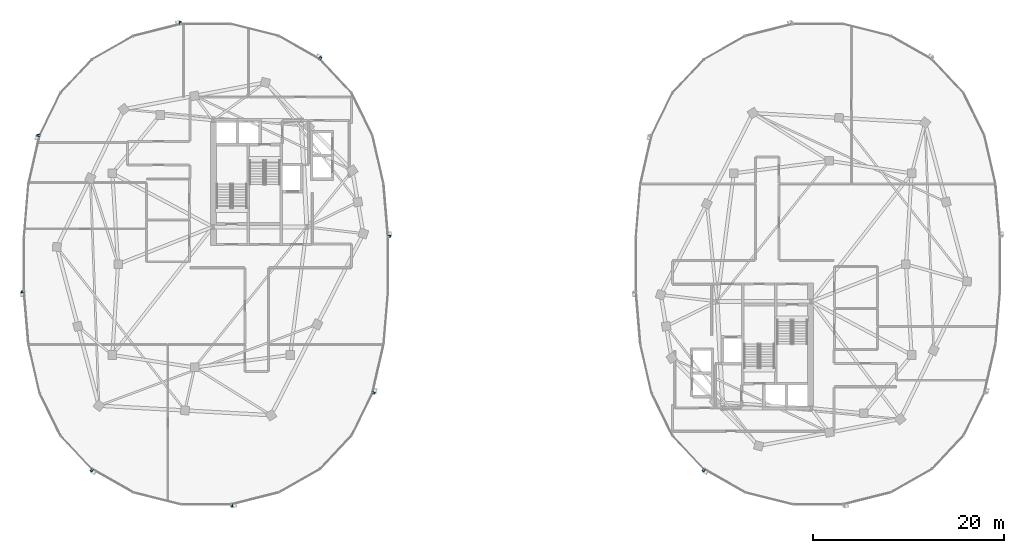
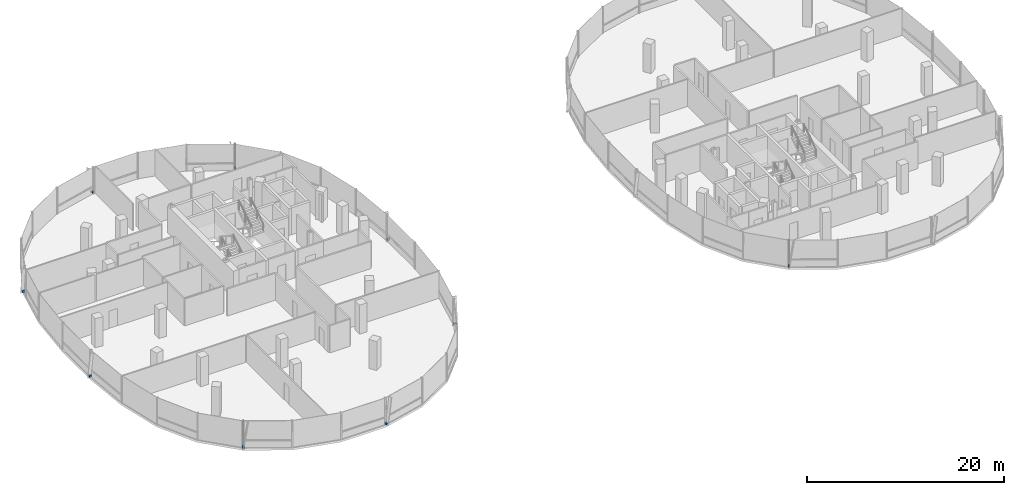
# One storey, part 19 of 25: 9 discrete accessories.
"""IFC4 building model written with IfcOpenShell, lengths in metres."""

import ifcopenshell
import ifcopenshell.guid

model = None  # the IFC model being written
_history = None  # IfcOwnerHistory: only IFC2X3 demands one
_inside = {}  # id of a spatial element -> (the spatial element, [elements in it])
_under = {}  # id of a project, library or spatial element -> (it, [spatial elements below it])
_declared = {}  # id of a project -> (the project, [libraries it declares])
_typed = {}  # id of a type object -> (the type object, [elements of that type])
_made_of = {}  # id of a material, layer set ... -> (it, [elements and type objects made of it])


def new_model(schema):
    """Start an empty IFC model of exactly this schema.

    Asked for "IFC4X3", IfcOpenShell would pick the latest addendum, in which some entities
    have other attributes; the version numbers below select the first issue.
    IFC2X3 requires an IfcOwnerHistory on every rooted entity: one is made here for all.
    """
    global model, _history
    if schema == "IFC4X3":
        model = ifcopenshell.file(schema_version=(4, 3, 0, 0))
    else:
        model = ifcopenshell.file(schema=schema)
    _inside.clear()
    _under.clear()
    _declared.clear()
    _typed.clear()
    _made_of.clear()
    _history = None
    if model.schema == "IFC2X3":
        org = make("IfcOrganization", Name="unknown")
        user = make(
            "IfcPersonAndOrganization",
            ThePerson=make("IfcPerson", FamilyName="unknown"),
            TheOrganization=org,
        )
        app = make(
            "IfcApplication",
            ApplicationDeveloper=org,
            Version="unknown",
            ApplicationFullName="unknown",
            ApplicationIdentifier="unknown",
        )
        _history = make(
            "IfcOwnerHistory",
            OwningUser=user,
            OwningApplication=app,
            ChangeAction="ADDED",
            CreationDate=0,
        )
    return model


def make(cls, **values):
    """One entity of the class cls with the attributes given. An attribute that is None is left unset."""
    return model.create_entity(
        cls, **{name: value for name, value in values.items() if value is not None}
    )


def rooted(cls, **values):
    """An entity with a GlobalId (a new one), such as an element, a storey or a relation."""
    return make(cls, GlobalId=ifcopenshell.guid.new(), OwnerHistory=_history, **values)


def si_unit(unit_type, name, prefix=None):
    """IfcSIUnit, for example si_unit("LENGTHUNIT", "METRE", prefix="MILLI")."""
    return make("IfcSIUnit", UnitType=unit_type, Prefix=prefix, Name=name)


def assignment(units):
    """IfcUnitAssignment: the units of a project."""
    return None if units is None else make("IfcUnitAssignment", Units=units)


def point(xyz):
    """IfcCartesianPoint."""
    return None if xyz is None else make("IfcCartesianPoint", Coordinates=xyz)


def direction(xyz):
    """IfcDirection."""
    return None if xyz is None else make("IfcDirection", DirectionRatios=xyz)


def frame(location, z_axis=None, x_axis=None):
    """IfcAxis2Placement3D, a coordinate frame: its origin and axes. An axis left out is left unset."""
    return make(
        "IfcAxis2Placement3D",
        Location=point(location),
        Axis=direction(z_axis),
        RefDirection=direction(x_axis),
    )


def frame_2d(location, x_axis=None):
    """IfcAxis2Placement2D, a coordinate frame in the plane: its origin and x axis."""
    return make(
        "IfcAxis2Placement2D", Location=point(location), RefDirection=direction(x_axis)
    )


def origin():
    """The frame at (0, 0, 0) with its axes left unset."""
    return frame((0.0, 0.0, 0.0))


def origin_2d():
    """The frame at (0, 0) in the plane with its x axis left unset."""
    return frame_2d((0.0, 0.0))


def place(relative_to, where):
    """IfcLocalPlacement: puts the frame where relative to a parent placement (None: the world)."""
    return make(
        "IfcLocalPlacement", PlacementRelTo=relative_to, RelativePlacement=where
    )


def context(
    kind, dimensions, precision=None, world=None, true_north=None, identifier=None
):
    """IfcGeometricRepresentationContext, for example the 3D "Model" context."""
    return make(
        "IfcGeometricRepresentationContext",
        ContextIdentifier=identifier,
        ContextType=kind,
        CoordinateSpaceDimension=dimensions,
        Precision=precision,
        WorldCoordinateSystem=world,
        TrueNorth=true_north,
    )


def subcontext(parent, identifier, kind, view, scale=None):
    """IfcGeometricRepresentationSubContext, for example "Body" below "Model"."""
    return make(
        "IfcGeometricRepresentationSubContext",
        ContextIdentifier=identifier,
        ContextType=kind,
        ParentContext=parent,
        TargetScale=scale,
        TargetView=view,
    )


def project(units=None, contexts=None):
    """IfcProject with its units and contexts."""
    return rooted(
        "IfcProject",
        Name="project",
        RepresentationContexts=contexts,
        UnitsInContext=assignment(units),
    )


def spatial(cls, under=None, at=None, **own):
    """A site, building, storey or space (cls), placed at a placement, below another one or the project."""
    s = rooted(cls, ObjectPlacement=at, **own)
    if under is not None:
        _under.setdefault(under.id(), (under, []))[1].append(s)
    return s


def profile(cls, at=None, kind="AREA", **sizes):
    """A parametric profile (cls). Its sizes go by their IFC names, for example OverallWidth=200.0."""
    return make(cls, ProfileType=kind, Position=at, **sizes)


def rectangle(**sizes):
    """IfcRectangleProfileDef."""
    return profile("IfcRectangleProfileDef", **sizes)


def extrude(swept, where, along, depth):
    """IfcExtrudedAreaSolid: the profile swept, set in the frame where, extruded along a direction by depth."""
    return make(
        "IfcExtrudedAreaSolid",
        SweptArea=swept,
        Position=where,
        ExtrudedDirection=direction(along),
        Depth=depth,
    )


def shape(context_of_items, identifier, shape_type, items):
    """IfcShapeRepresentation: the items that make up one representation, for example the "Body"."""
    return make(
        "IfcShapeRepresentation",
        ContextOfItems=context_of_items,
        RepresentationIdentifier=identifier,
        RepresentationType=shape_type,
        Items=items,
    )


def material(Name=None, Category=None):
    """IfcMaterial."""
    return make("IfcMaterial", Name=Name, Category=Category)


def made_of(thing, what):
    """Note that an element or type object is made of a material, layer set ...; save() writes the relation."""
    if what is not None:
        _made_of.setdefault(what.id(), (what, []))[1].append(thing)
    return thing


def type_object(cls, material=None, **own):
    """A type object (cls), such as IfcWallType, which elements share."""
    return made_of(rooted(cls, **own), material)


def element(
    cls,
    number,
    at=None,
    inside=None,
    cuts=None,
    type_object=None,
    material=None,
    context=None,
    identifier="Body",
    shape_type=None,
    held_by="IfcProductDefinitionShape",
    body=None,
    shapes=None,
    **own,
):
    """One element of the class cls, such as IfcWall. Its Tag is "e" and its number.

    at: its placement. inside: the storey or other place that contains it. cuts: it is an
    opening in that element (IfcRelVoidsElement). A single representation is given by context,
    identifier, shape_type and body (its items); several are given by shapes. held_by: the class
    of the entity that holds the representations. save() writes the other relations.
    """
    e = rooted(cls, Tag="e%d" % number, ObjectPlacement=at, **own)
    if body is not None:
        shapes = [shape(context, identifier, shape_type, body)]
    if shapes is not None:
        e.Representation = make(held_by, Representations=shapes)
    if inside is not None:
        _inside.setdefault(inside.id(), (inside, []))[1].append(e)
    if cuts is not None:
        rooted(
            "IfcRelVoidsElement", RelatingBuildingElement=cuts, RelatedOpeningElement=e
        )
    if type_object is not None:
        _typed.setdefault(type_object.id(), (type_object, []))[1].append(e)
    return made_of(e, material)


def aggregate(whole, parts):
    """IfcRelAggregates: a whole, such as a stair, and the parts it consists of."""
    return rooted("IfcRelAggregates", RelatingObject=whole, RelatedObjects=parts)


def save(model, path):
    """Write the relations noted so far, then the file.

    IfcRelAggregates (storeys below a building ...), IfcRelContainedInSpatialStructure (elements
    in a storey), IfcRelDefinesByType, IfcRelAssociatesMaterial and IfcRelDeclares: one each for
    every whole, place, type object, material and project.
    """
    for whole, parts in _under.values():
        aggregate(whole, parts)
    for where, things in _inside.values():
        rooted(
            "IfcRelContainedInSpatialStructure",
            RelatedElements=things,
            RelatingStructure=where,
        )
    for kind, things in _typed.values():
        rooted("IfcRelDefinesByType", RelatedObjects=things, RelatingType=kind)
    for what, things in _made_of.values():
        rooted("IfcRelAssociatesMaterial", RelatedObjects=things, RelatingMaterial=what)
    for by, libraries in _declared.values():
        rooted("IfcRelDeclares", RelatingContext=by, RelatedDefinitions=libraries)
    model.write(path)


model = new_model("IFC4")

# Units and contexts
model_context = context("Model", 3, precision=1e-05, world=origin(), true_north=direction((0.0, 1.0)))
body_context = subcontext(model_context, "Body", "Model", "MODEL_VIEW")
ifc_project = project(units=[si_unit("LENGTHUNIT", "METRE"), si_unit("AREAUNIT", "SQUARE_METRE"), si_unit("VOLUMEUNIT", "CUBIC_METRE"), si_unit("PLANEANGLEUNIT", "RADIAN"), si_unit("MASSUNIT", "GRAM", prefix="KILO"), si_unit("THERMODYNAMICTEMPERATUREUNIT", "KELVIN"), si_unit("POWERUNIT", "WATT")], contexts=[model_context])

# Site, building, storey
site_placement = place(None, origin())
site = spatial("IfcSite", under=ifc_project, at=site_placement, CompositionType="ELEMENT")
building_placement = place(site_placement, origin())
building = spatial("IfcBuilding", under=site, at=building_placement, Name="Cundina Bronze Exchange", CompositionType="ELEMENT")
storey_placement = place(building_placement, frame((0.0, 0.0, 202.60009765625)))
storey = spatial("IfcBuildingStorey", under=building, at=storey_placement, Name="L53", CompositionType="ELEMENT", Elevation=202.60009765625)

# Discrete accessories
ifc_material = material(Name="Anodised Bronze Aluminium 6063-T6", Category="aluminium")
discrete_accessory_type = type_object("IfcDiscreteAccessoryType", Name="ACC-BRK-FIN", PredefinedType="BRACKET", material=ifc_material)
for number, where, z_axis, x_axis, name in (
    (1, (-12.84521484375, 2.893798828125, 0.10009765625), (0.0, 0.0, 1.0), (-0.083747411454, 0.996487015006, 0.0), "L53 Fin Support Bracket 1"),
    (2, (-20.038818359375, 21.539794921875, 0.10009765625), (0.0, 0.0, 1.0), (-0.869572506985, 0.493805280547, 0.0), "L53 Fin Support Bracket 5"),
    (3, (-34.678955078125, 25.23779296875, 0.10009765625), (0.0, 0.0, 1.0), (-0.969731542251, -0.244173577528, 0.0), "L53 Fin Support Bracket 1"),
    (4, (-49.529541015625, 13.468505859375, 0.10009765625), (0.0, 0.0, 1.0), (-0.223284141459, -0.974753400698, 0.0), "L53 Fin Support Bracket 5"),
    (5, (-51.15478515625, -2.893798828125, 0.10009765625), (0.0, 0.0, 1.0), (0.083747411454, -0.996487015006, 0.0), "L53 Fin Support Bracket 1"),
    (6, (-43.961181640625, -21.539794921875, 0.10009765625), (0.0, 0.0, 1.0), (0.869572506985, -0.493805280547, 0.0), "L53 Fin Support Bracket 5"),
    (7, (-29.321044921875, -25.23779296875, 0.10009765625), (0.0, 0.0, 1.0), (0.969731542251, 0.244173577528, 0.0), "L53 Fin Support Bracket 1"),
    (8, (-14.470458984375, -13.468505859375, 0.10009765625), (0.0, 0.0, 1.0), (0.223284141459, 0.974753400698, 0.0), "L53 Fin Support Bracket 5"),
    (9, (20.038818359375, -21.539794921875, 0.10009765625), (0.0, 0.0, 1.0), (0.869572506985, -0.493805280547, 0.0), "L53 Fin Support Bracket 5"),
):
    element("IfcDiscreteAccessory", number, at=place(storey_placement, frame(where, z_axis=z_axis, x_axis=x_axis)), inside=storey, type_object=discrete_accessory_type, Name=name, PredefinedType="BRACKET", context=body_context, shape_type="SweptSolid", body=[
        extrude(rectangle(XDim=0.219970703125, YDim=0.320068359375, at=origin_2d()), origin(), (0.0, 0.0, 1.0), 0.239990234375),
    ])

save(model, "model.ifc")
